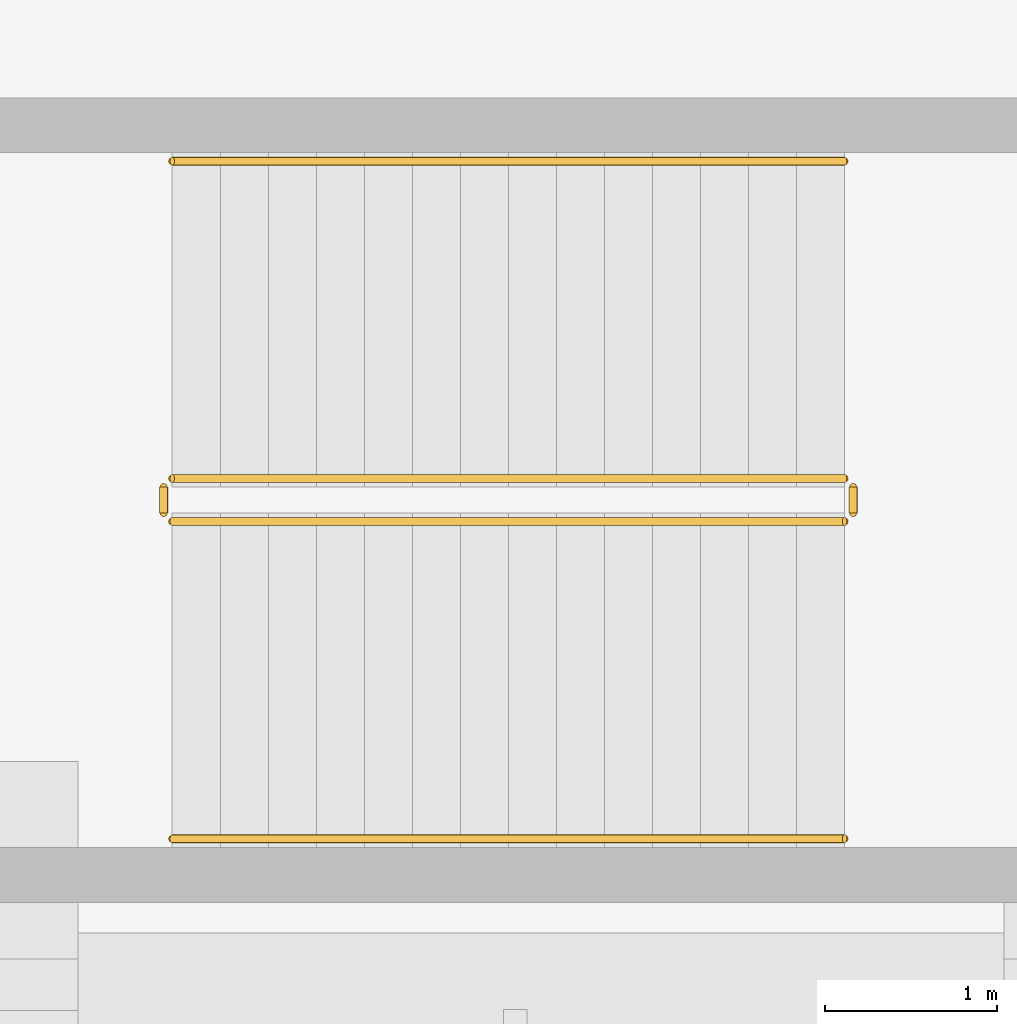
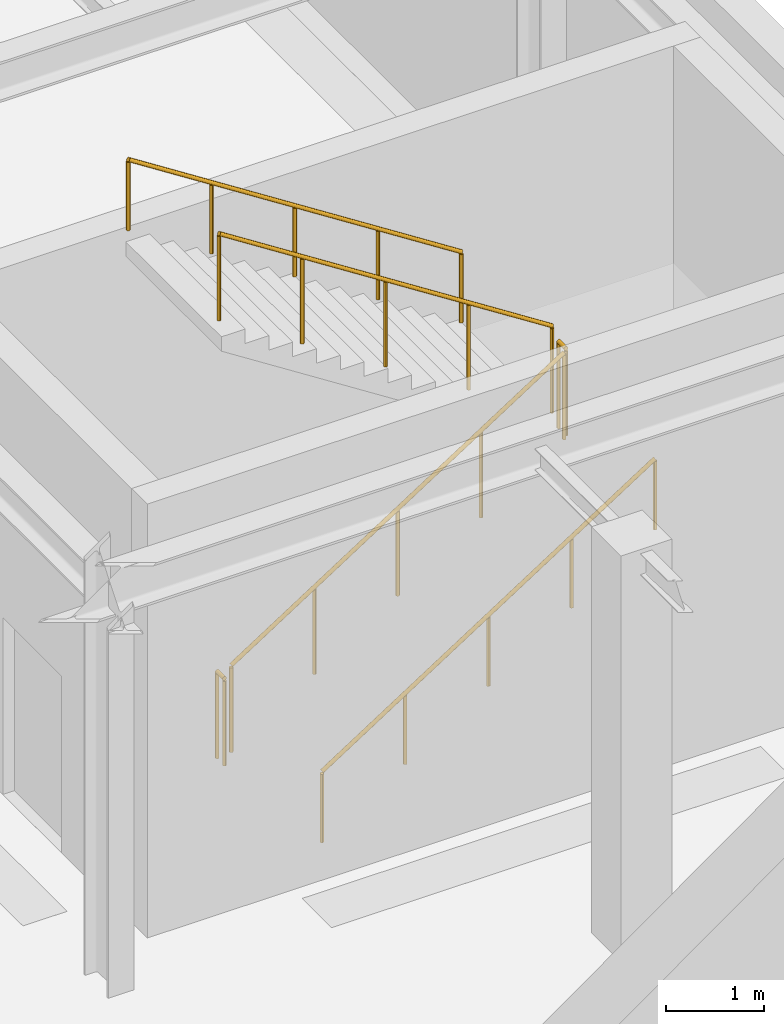
# One storey, part 60 of 65: 6 railings.
"""IFC4 building model written with IfcOpenShell, lengths in metres."""

from ifc_helpers import new_model, si_unit, direction, frame, origin, origin_2d, place, context, subcontext, project, spatial, circle, extrude, material, type_object, element, save


model = new_model("IFC4")

# Units and contexts
model_context = context("Model", 3, precision=1e-05, world=origin(), true_north=direction((0.0, 1.0)))
body_context = subcontext(model_context, "Body", "Model", "MODEL_VIEW")
ifc_project = project(units=[si_unit("LENGTHUNIT", "METRE"), si_unit("AREAUNIT", "SQUARE_METRE"), si_unit("VOLUMEUNIT", "CUBIC_METRE"), si_unit("PLANEANGLEUNIT", "RADIAN"), si_unit("MASSUNIT", "GRAM", prefix="KILO")], contexts=[model_context])

# Site, building, storey
site_placement = place(None, origin())
site = spatial("IfcSite", under=ifc_project, at=site_placement, CompositionType="ELEMENT")
building_placement = place(site_placement, origin())
building = spatial("IfcBuilding", under=site, at=building_placement, Name="Kaldris Quays Convention Centre", CompositionType="ELEMENT")
storey_placement = place(building_placement, frame((0.0, 0.0, -5.39990234375)))
storey = spatial("IfcBuildingStorey", under=building, at=storey_placement, Name="B1", CompositionType="ELEMENT", Elevation=-5.39990234375)

# Railings
ifc_material_1 = material(Name="Steel S355J2", Category="steel")
railing_type_1 = type_object("IfcRailingType", Name="INTERIOR GUARDRAIL GR01", PredefinedType="GUARDRAIL", material=ifc_material_1)
railing_1_placement = place(storey_placement, frame((197.0, 22.699951171875, 0.179931640625)))
element("IfcRailing", 1, at=railing_1_placement, inside=storey, type_object=railing_type_1, Name="B1 ST16 Stair Guardrail 1", PredefinedType="GUARDRAIL", context=body_context, shape_type="SweptSolid", body=[
    extrude(circle(Radius=0.02392578125, at=origin_2d()), frame((0.0, 0.0, 1.076171875), z_axis=(0.841171666519, 0.0, 0.540768182723), x_axis=(0.0, 1.0, 0.0)), (0.0, 0.0, 1.0), 4.66015625),
    extrude(circle(Radius=0.02099609375, at=origin_2d()), origin(), (0.0, 0.0, 1.0), 1.052001953125),
    extrude(circle(Radius=0.02099609375, at=origin_2d()), frame((0.97998046875, 0.0, 0.6298828125)), (0.0, 0.0, 1.0), 1.052001953125),
    extrude(circle(Radius=0.02099609375, at=origin_2d()), frame((1.9599609375, 0.0, 1.260009765625)), (0.0, 0.0, 1.0), 1.052001953125),
    extrude(circle(Radius=0.02099609375, at=origin_2d()), frame((2.93994140625, 0.0, 1.89013671875)), (0.0, 0.0, 1.0), 1.052001953125),
    extrude(circle(Radius=0.02099609375, at=origin_2d()), frame((3.919921875, 0.0, 2.52001953125)), (0.0, 0.0, 1.0), 1.052001953125),
])
railing_2_placement = place(storey_placement, frame((200.969970703125, 22.75, 2.699951171875)))
element("IfcRailing", 2, at=railing_2_placement, inside=storey, type_object=railing_type_1, Name="B1 ST16 Stair Guardrail 2", PredefinedType="GUARDRAIL", context=body_context, shape_type="SweptSolid", body=[
    extrude(circle(Radius=0.02392578125, at=origin_2d()), frame((0.0, 0.0, 1.076171875), z_axis=(0.0, 1.0, 0.0), x_axis=(-1.0, 0.0, 0.0)), (0.0, 0.0, 1.0), 0.14990234375),
    extrude(circle(Radius=0.02099609375, at=origin_2d()), origin(), (0.0, 0.0, 1.0), 1.052001953125),
    extrude(circle(Radius=0.02099609375, at=origin_2d()), frame((0.0, 0.14990234375, 0.0)), (0.0, 0.0, 1.0), 1.052001953125),
])
railing_3_placement = place(storey_placement, frame((200.919921875, 22.949951171875, 2.8798828125)))
element("IfcRailing", 3, at=railing_3_placement, inside=storey, type_object=railing_type_1, Name="B1 ST16 Stair Guardrail 3", PredefinedType="GUARDRAIL", context=body_context, shape_type="SweptSolid", body=[
    extrude(circle(Radius=0.02392578125, at=origin_2d()), frame((0.0, 0.0, 1.076171875), z_axis=(-0.841171666519, 0.0, 0.540768182723), x_axis=(0.0, -1.0, 0.0)), (0.0, 0.0, 1.0), 4.66015625),
    extrude(circle(Radius=0.02099609375, at=origin_2d()), origin(), (0.0, 0.0, 1.0), 1.052001953125),
    extrude(circle(Radius=0.02099609375, at=origin_2d()), frame((-0.97998046875, 0.0, 0.6298828125)), (0.0, 0.0, 1.0), 1.052001953125),
    extrude(circle(Radius=0.02099609375, at=origin_2d()), frame((-1.9599609375, 0.0, 1.260009765625)), (0.0, 0.0, 1.0), 1.052001953125),
    extrude(circle(Radius=0.02099609375, at=origin_2d()), frame((-2.93994140625, 0.0, 1.89013671875)), (0.0, 0.0, 1.0), 1.052001953125),
    extrude(circle(Radius=0.02099609375, at=origin_2d()), frame((-3.919921875, 0.0, 2.52001953125)), (0.0, 0.0, 1.0), 1.052001953125),
])
railing_4_placement = place(storey_placement, frame((196.949951171875, 22.75, 0.0)))
element("IfcRailing", 4, at=railing_4_placement, inside=storey, type_object=railing_type_1, Name="B1 ST16 Stair Guardrail 4", PredefinedType="GUARDRAIL", context=body_context, shape_type="SweptSolid", body=[
    extrude(circle(Radius=0.02392578125, at=origin_2d()), frame((0.0, 0.0, 1.076171875), z_axis=(0.0, 1.0, 0.0), x_axis=(-1.0, 0.0, 0.0)), (0.0, 0.0, 1.0), 0.14990234375),
    extrude(circle(Radius=0.02099609375, at=origin_2d()), origin(), (0.0, 0.0, 1.0), 1.052001953125),
    extrude(circle(Radius=0.02099609375, at=origin_2d()), frame((0.0, 0.14990234375, 0.0)), (0.0, 0.0, 1.0), 1.052001953125),
])
ifc_material_2 = material(Name="Stainless steel 1.4301", Category="steel")
railing_type_2 = type_object("IfcRailingType", Name="STAIR HANDRAIL HR01", PredefinedType="HANDRAIL", material=ifc_material_2)
railing_5_placement = place(storey_placement, frame((197.0, 20.85009765625, 0.179931640625)))
element("IfcRailing", 5, at=railing_5_placement, inside=storey, type_object=railing_type_2, Name="B1 ST16 Flight Handrail 1", PredefinedType="HANDRAIL", context=body_context, shape_type="SweptSolid", body=[
    extrude(circle(Radius=0.02392578125, at=origin_2d()), frame((0.0, 0.0, 0.8759765625), z_axis=(0.841171666519, 0.0, 0.540768182723), x_axis=(0.0, 1.0, 0.0)), (0.0, 0.0, 1.0), 4.66015625),
    extrude(circle(Radius=0.02099609375, at=origin_2d()), origin(), (0.0, 0.0, 1.0), 0.851806640625),
    extrude(circle(Radius=0.02099609375, at=origin_2d()), frame((0.97998046875, 0.0, 0.6298828125)), (0.0, 0.0, 1.0), 0.851806640625),
    extrude(circle(Radius=0.02099609375, at=origin_2d()), frame((1.9599609375, 0.0, 1.260009765625)), (0.0, 0.0, 1.0), 0.851806640625),
    extrude(circle(Radius=0.02099609375, at=origin_2d()), frame((2.93994140625, 0.0, 1.89013671875)), (0.0, 0.0, 1.0), 0.851806640625),
    extrude(circle(Radius=0.02099609375, at=origin_2d()), frame((3.919921875, 0.0, 2.52001953125)), (0.0, 0.0, 1.0), 0.851806640625),
])
railing_6_placement = place(storey_placement, frame((200.919921875, 24.800048828125, 2.8798828125)))
element("IfcRailing", 6, at=railing_6_placement, inside=storey, type_object=railing_type_2, Name="B1 ST16 Flight Handrail 2", PredefinedType="HANDRAIL", context=body_context, shape_type="SweptSolid", body=[
    extrude(circle(Radius=0.02392578125, at=origin_2d()), frame((0.0, 0.0, 0.8759765625), z_axis=(-0.841171666519, 0.0, 0.540768182723), x_axis=(0.0, -1.0, 0.0)), (0.0, 0.0, 1.0), 4.66015625),
    extrude(circle(Radius=0.02099609375, at=origin_2d()), origin(), (0.0, 0.0, 1.0), 0.851806640625),
    extrude(circle(Radius=0.02099609375, at=origin_2d()), frame((-0.97998046875, 0.0, 0.6298828125)), (0.0, 0.0, 1.0), 0.851806640625),
    extrude(circle(Radius=0.02099609375, at=origin_2d()), frame((-1.9599609375, 0.0, 1.260009765625)), (0.0, 0.0, 1.0), 0.851806640625),
    extrude(circle(Radius=0.02099609375, at=origin_2d()), frame((-2.93994140625, 0.0, 1.89013671875)), (0.0, 0.0, 1.0), 0.851806640625),
    extrude(circle(Radius=0.02099609375, at=origin_2d()), frame((-3.919921875, 0.0, 2.52001953125)), (0.0, 0.0, 1.0), 0.851806640625),
])

save(model, "model.ifc")
